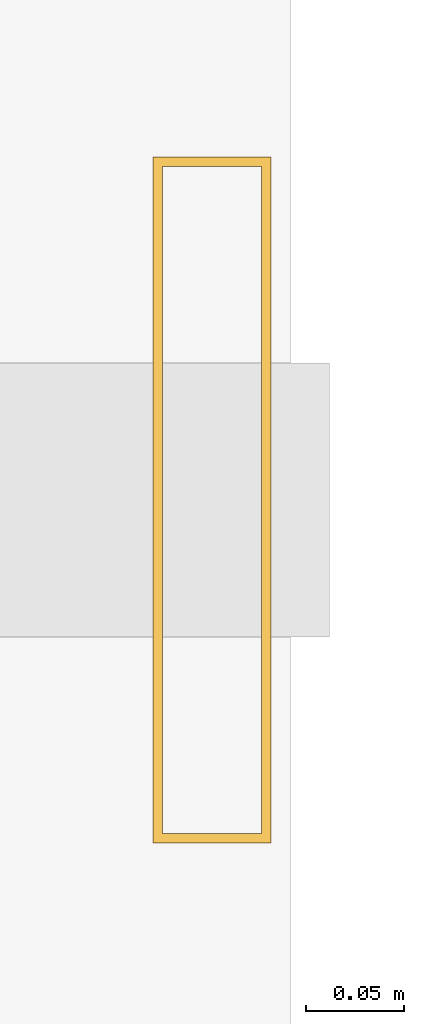
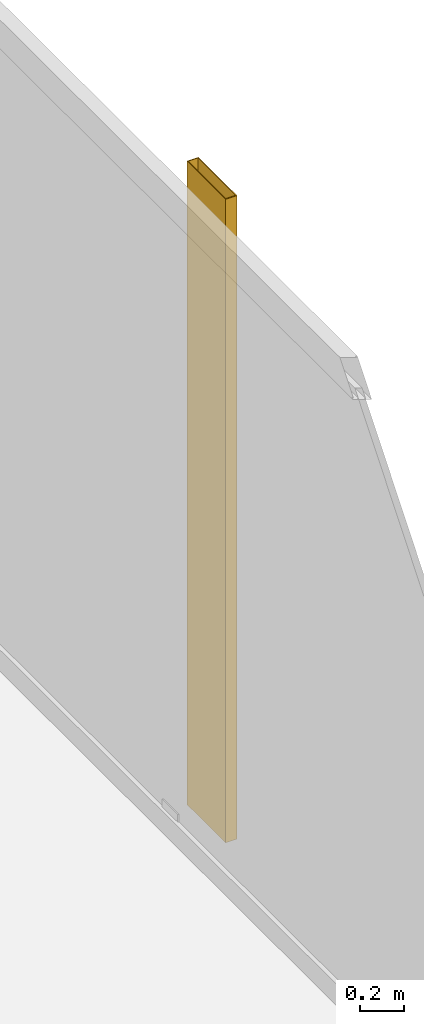
# One storey, part 27 of 27: 1 shading device.
"""IFC4 building model written with IfcOpenShell, lengths in metres."""

from ifc_helpers import new_model, si_unit, direction, frame, origin, origin_2d, place, context, subcontext, project, spatial, hollow_rectangle, extrude, material, material_profile, profile_set, type_object, element, save


model = new_model("IFC4")

# Units and contexts
model_context = context("Model", 3, precision=1e-05, world=origin(), true_north=direction((0.0, 1.0)))
body_context = subcontext(model_context, "Body", "Model", "MODEL_VIEW")
ifc_project = project(units=[si_unit("LENGTHUNIT", "METRE"), si_unit("AREAUNIT", "SQUARE_METRE"), si_unit("VOLUMEUNIT", "CUBIC_METRE"), si_unit("PLANEANGLEUNIT", "RADIAN"), si_unit("MASSUNIT", "GRAM", prefix="KILO")], contexts=[model_context])

# Site, building, storey
site_placement = place(None, origin())
site = spatial("IfcSite", under=ifc_project, at=site_placement, CompositionType="ELEMENT")
building_placement = place(site_placement, origin())
building = spatial("IfcBuilding", under=site, at=building_placement, Name="Kolvaren Waterfront Exchange", CompositionType="ELEMENT")
storey_placement = place(building_placement, frame((0.0, 0.0, 161.39990234375)))
storey = spatial("IfcBuildingStorey", under=building, at=storey_placement, Name="L41", CompositionType="ELEMENT", Elevation=161.39990234375)

# Shading device
ifc_material = material(Name="Anodised bronze aluminium 6063-T6", Category="aluminium")
ifc_material_profile = material_profile(ifc_material, hollow_rectangle(XDim=0.06005859375, YDim=0.35009765625, WallThickness=0.0048828125, at=origin_2d()), Name="BRZ-FIN-350x60x5")
ifc_profile_set = profile_set([ifc_material_profile], Name="Anodised bronze aluminium 6063-T6")
shading_device_type = type_object("IfcShadingDeviceType", Name="ARC-FIN-350", PredefinedType="USERDEFINED", material=ifc_profile_set)
shading_device_placement = place(storey_placement, frame((22.56005859375, 38.0, 0.0), z_axis=(0.0, 0.0, 1.0), x_axis=(1.0, 0.0, 0.0)))
element("IfcShadingDevice", 1, at=shading_device_placement, inside=storey, type_object=shading_device_type, Name="L41 anodised bronze solar shading fin FIN-L41-E3", ObjectType="SOLAR FIN", PredefinedType="USERDEFINED", context=body_context, shape_type="SweptSolid", body=[
    extrude(hollow_rectangle(XDim=0.06005859375, YDim=0.35009765625, WallThickness=0.0048828125, at=origin_2d()), origin(), (0.0, 0.0, 1.0), 3.56005859375),
])

save(model, "model.ifc")
